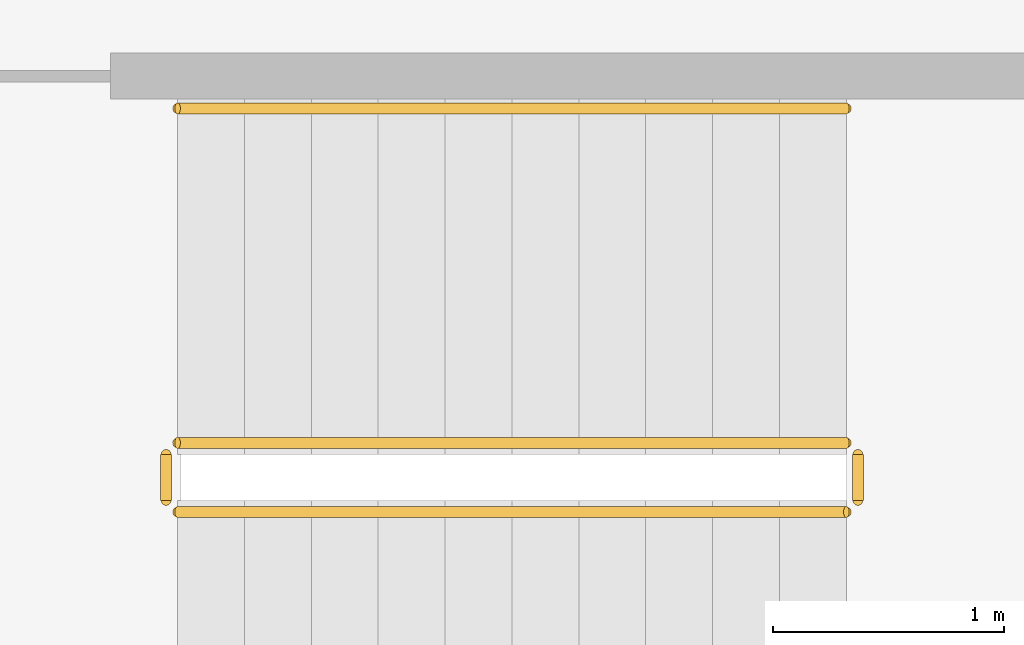
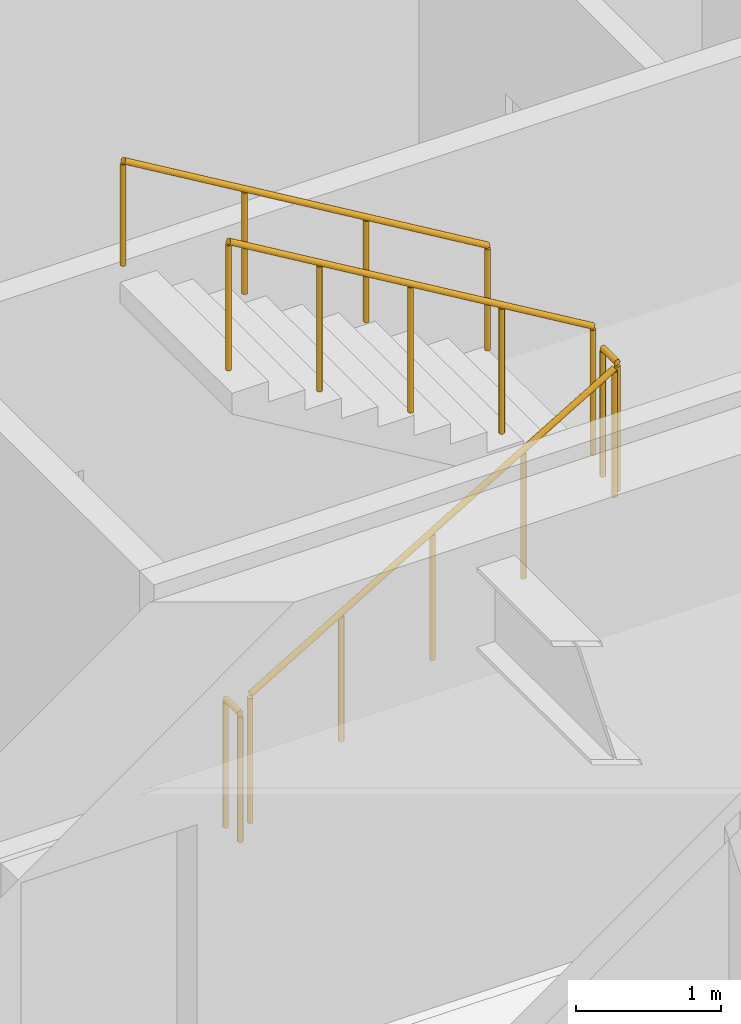
# One storey, part 22 of 23: 5 railings.
"""IFC4 building model written with IfcOpenShell, lengths in metres."""

import ifcopenshell
import ifcopenshell.guid

model = None  # the IFC model being written
_history = None  # IfcOwnerHistory: only IFC2X3 demands one
_inside = {}  # id of a spatial element -> (the spatial element, [elements in it])
_under = {}  # id of a project, library or spatial element -> (it, [spatial elements below it])
_declared = {}  # id of a project -> (the project, [libraries it declares])
_typed = {}  # id of a type object -> (the type object, [elements of that type])
_made_of = {}  # id of a material, layer set ... -> (it, [elements and type objects made of it])


def new_model(schema):
    """Start an empty IFC model of exactly this schema.

    Asked for "IFC4X3", IfcOpenShell would pick the latest addendum, in which some entities
    have other attributes; the version numbers below select the first issue.
    IFC2X3 requires an IfcOwnerHistory on every rooted entity: one is made here for all.
    """
    global model, _history
    if schema == "IFC4X3":
        model = ifcopenshell.file(schema_version=(4, 3, 0, 0))
    else:
        model = ifcopenshell.file(schema=schema)
    _inside.clear()
    _under.clear()
    _declared.clear()
    _typed.clear()
    _made_of.clear()
    _history = None
    if model.schema == "IFC2X3":
        org = make("IfcOrganization", Name="unknown")
        user = make(
            "IfcPersonAndOrganization",
            ThePerson=make("IfcPerson", FamilyName="unknown"),
            TheOrganization=org,
        )
        app = make(
            "IfcApplication",
            ApplicationDeveloper=org,
            Version="unknown",
            ApplicationFullName="unknown",
            ApplicationIdentifier="unknown",
        )
        _history = make(
            "IfcOwnerHistory",
            OwningUser=user,
            OwningApplication=app,
            ChangeAction="ADDED",
            CreationDate=0,
        )
    return model


def make(cls, **values):
    """One entity of the class cls with the attributes given. An attribute that is None is left unset."""
    return model.create_entity(
        cls, **{name: value for name, value in values.items() if value is not None}
    )


def rooted(cls, **values):
    """An entity with a GlobalId (a new one), such as an element, a storey or a relation."""
    return make(cls, GlobalId=ifcopenshell.guid.new(), OwnerHistory=_history, **values)


def si_unit(unit_type, name, prefix=None):
    """IfcSIUnit, for example si_unit("LENGTHUNIT", "METRE", prefix="MILLI")."""
    return make("IfcSIUnit", UnitType=unit_type, Prefix=prefix, Name=name)


def assignment(units):
    """IfcUnitAssignment: the units of a project."""
    return None if units is None else make("IfcUnitAssignment", Units=units)


def point(xyz):
    """IfcCartesianPoint."""
    return None if xyz is None else make("IfcCartesianPoint", Coordinates=xyz)


def direction(xyz):
    """IfcDirection."""
    return None if xyz is None else make("IfcDirection", DirectionRatios=xyz)


def frame(location, z_axis=None, x_axis=None):
    """IfcAxis2Placement3D, a coordinate frame: its origin and axes. An axis left out is left unset."""
    return make(
        "IfcAxis2Placement3D",
        Location=point(location),
        Axis=direction(z_axis),
        RefDirection=direction(x_axis),
    )


def frame_2d(location, x_axis=None):
    """IfcAxis2Placement2D, a coordinate frame in the plane: its origin and x axis."""
    return make(
        "IfcAxis2Placement2D", Location=point(location), RefDirection=direction(x_axis)
    )


def origin():
    """The frame at (0, 0, 0) with its axes left unset."""
    return frame((0.0, 0.0, 0.0))


def origin_2d():
    """The frame at (0, 0) in the plane with its x axis left unset."""
    return frame_2d((0.0, 0.0))


def place(relative_to, where):
    """IfcLocalPlacement: puts the frame where relative to a parent placement (None: the world)."""
    return make(
        "IfcLocalPlacement", PlacementRelTo=relative_to, RelativePlacement=where
    )


def context(
    kind, dimensions, precision=None, world=None, true_north=None, identifier=None
):
    """IfcGeometricRepresentationContext, for example the 3D "Model" context."""
    return make(
        "IfcGeometricRepresentationContext",
        ContextIdentifier=identifier,
        ContextType=kind,
        CoordinateSpaceDimension=dimensions,
        Precision=precision,
        WorldCoordinateSystem=world,
        TrueNorth=true_north,
    )


def subcontext(parent, identifier, kind, view, scale=None):
    """IfcGeometricRepresentationSubContext, for example "Body" below "Model"."""
    return make(
        "IfcGeometricRepresentationSubContext",
        ContextIdentifier=identifier,
        ContextType=kind,
        ParentContext=parent,
        TargetScale=scale,
        TargetView=view,
    )


def project(units=None, contexts=None):
    """IfcProject with its units and contexts."""
    return rooted(
        "IfcProject",
        Name="project",
        RepresentationContexts=contexts,
        UnitsInContext=assignment(units),
    )


def spatial(cls, under=None, at=None, **own):
    """A site, building, storey or space (cls), placed at a placement, below another one or the project."""
    s = rooted(cls, ObjectPlacement=at, **own)
    if under is not None:
        _under.setdefault(under.id(), (under, []))[1].append(s)
    return s


def profile(cls, at=None, kind="AREA", **sizes):
    """A parametric profile (cls). Its sizes go by their IFC names, for example OverallWidth=200.0."""
    return make(cls, ProfileType=kind, Position=at, **sizes)


def circle(**sizes):
    """IfcCircleProfileDef."""
    return profile("IfcCircleProfileDef", **sizes)


def extrude(swept, where, along, depth):
    """IfcExtrudedAreaSolid: the profile swept, set in the frame where, extruded along a direction by depth."""
    return make(
        "IfcExtrudedAreaSolid",
        SweptArea=swept,
        Position=where,
        ExtrudedDirection=direction(along),
        Depth=depth,
    )


def shape(context_of_items, identifier, shape_type, items):
    """IfcShapeRepresentation: the items that make up one representation, for example the "Body"."""
    return make(
        "IfcShapeRepresentation",
        ContextOfItems=context_of_items,
        RepresentationIdentifier=identifier,
        RepresentationType=shape_type,
        Items=items,
    )


def material(Name=None, Category=None):
    """IfcMaterial."""
    return make("IfcMaterial", Name=Name, Category=Category)


def made_of(thing, what):
    """Note that an element or type object is made of a material, layer set ...; save() writes the relation."""
    if what is not None:
        _made_of.setdefault(what.id(), (what, []))[1].append(thing)
    return thing


def type_object(cls, material=None, **own):
    """A type object (cls), such as IfcWallType, which elements share."""
    return made_of(rooted(cls, **own), material)


def element(
    cls,
    number,
    at=None,
    inside=None,
    cuts=None,
    type_object=None,
    material=None,
    context=None,
    identifier="Body",
    shape_type=None,
    held_by="IfcProductDefinitionShape",
    body=None,
    shapes=None,
    **own,
):
    """One element of the class cls, such as IfcWall. Its Tag is "e" and its number.

    at: its placement. inside: the storey or other place that contains it. cuts: it is an
    opening in that element (IfcRelVoidsElement). A single representation is given by context,
    identifier, shape_type and body (its items); several are given by shapes. held_by: the class
    of the entity that holds the representations. save() writes the other relations.
    """
    e = rooted(cls, Tag="e%d" % number, ObjectPlacement=at, **own)
    if body is not None:
        shapes = [shape(context, identifier, shape_type, body)]
    if shapes is not None:
        e.Representation = make(held_by, Representations=shapes)
    if inside is not None:
        _inside.setdefault(inside.id(), (inside, []))[1].append(e)
    if cuts is not None:
        rooted(
            "IfcRelVoidsElement", RelatingBuildingElement=cuts, RelatedOpeningElement=e
        )
    if type_object is not None:
        _typed.setdefault(type_object.id(), (type_object, []))[1].append(e)
    return made_of(e, material)


def aggregate(whole, parts):
    """IfcRelAggregates: a whole, such as a stair, and the parts it consists of."""
    return rooted("IfcRelAggregates", RelatingObject=whole, RelatedObjects=parts)


def save(model, path):
    """Write the relations noted so far, then the file.

    IfcRelAggregates (storeys below a building ...), IfcRelContainedInSpatialStructure (elements
    in a storey), IfcRelDefinesByType, IfcRelAssociatesMaterial and IfcRelDeclares: one each for
    every whole, place, type object, material and project.
    """
    for whole, parts in _under.values():
        aggregate(whole, parts)
    for where, things in _inside.values():
        rooted(
            "IfcRelContainedInSpatialStructure",
            RelatedElements=things,
            RelatingStructure=where,
        )
    for kind, things in _typed.values():
        rooted("IfcRelDefinesByType", RelatedObjects=things, RelatingType=kind)
    for what, things in _made_of.values():
        rooted("IfcRelAssociatesMaterial", RelatedObjects=things, RelatingMaterial=what)
    for by, libraries in _declared.values():
        rooted("IfcRelDeclares", RelatingContext=by, RelatedDefinitions=libraries)
    model.write(path)


model = new_model("IFC4")

# Units and contexts
model_context = context("Model", 3, precision=1e-05, world=origin(), true_north=direction((0.0, 1.0)))
body_context = subcontext(model_context, "Body", "Model", "MODEL_VIEW")
ifc_project = project(units=[si_unit("LENGTHUNIT", "METRE"), si_unit("AREAUNIT", "SQUARE_METRE"), si_unit("VOLUMEUNIT", "CUBIC_METRE"), si_unit("PLANEANGLEUNIT", "RADIAN"), si_unit("MASSUNIT", "GRAM", prefix="KILO")], contexts=[model_context])

# Site, building, storey
site_placement = place(None, origin())
site = spatial("IfcSite", under=ifc_project, at=site_placement, CompositionType="ELEMENT")
building_placement = place(site_placement, origin())
building = spatial("IfcBuilding", under=site, at=building_placement, Name="Putna Gate Headquarters", CompositionType="ELEMENT")
storey_placement = place(building_placement, frame((0.0, 0.0, 213.800048828125)))
storey = spatial("IfcBuildingStorey", under=building, at=storey_placement, Name="L53", CompositionType="ELEMENT", Elevation=213.800048828125)

# Railings
ifc_material_1 = material(Name="Powder-coated steel stair guardrail", Category="steel")
railing_type_1 = type_object("IfcRailingType", Name="RAIL-STAIR-GUARD-1100", PredefinedType="GUARDRAIL", material=ifc_material_1)
railing_1_placement = place(storey_placement, frame((57.89990234375, 21.10009765625, 0.172607421875)))
element("IfcRailing", 1, at=railing_1_placement, inside=storey, type_object=railing_type_1, Name="L53 ST2 stair guard 1", PredefinedType="GUARDRAIL", context=body_context, shape_type="SweptSolid", body=[
    extrude(circle(Radius=0.02392578125, at=origin_2d()), frame((0.0, 0.0, 1.076171875), z_axis=(0.859160404282, 0.0, 0.51170636083), x_axis=(0.0, 1.0, 0.0)), (0.0, 0.0, 1.0), 3.37548828125),
    extrude(circle(Radius=0.02099609375, at=origin_2d()), origin(), (0.0, 0.0, 1.0), 1.052001953125),
    extrude(circle(Radius=0.02099609375, at=origin_2d()), frame((0.72509765625, 0.0, 0.431884765625)), (0.0, 0.0, 1.0), 1.052001953125),
    extrude(circle(Radius=0.02099609375, at=origin_2d()), frame((1.4501953125, 0.0, 0.86376953125)), (0.0, 0.0, 1.0), 1.052001953125),
    extrude(circle(Radius=0.02099609375, at=origin_2d()), frame((2.175048828125, 0.0, 1.29541015625)), (0.0, 0.0, 1.0), 1.052001953125),
    extrude(circle(Radius=0.02099609375, at=origin_2d()), frame((2.900146484375, 0.0, 1.727294921875)), (0.0, 0.0, 1.0), 1.052001953125),
])
railing_2_placement = place(storey_placement, frame((60.85009765625, 21.14990234375, 1.89990234375)))
element("IfcRailing", 2, at=railing_2_placement, inside=storey, type_object=railing_type_1, Name="L53 ST2 stair guard 2", PredefinedType="GUARDRAIL", context=body_context, shape_type="SweptSolid", body=[
    extrude(circle(Radius=0.02392578125, at=origin_2d()), frame((0.0, 0.0, 1.076171875), z_axis=(0.0, 1.0, 0.0), x_axis=(-1.0, 0.0, 0.0)), (0.0, 0.0, 1.0), 0.2001953125),
    extrude(circle(Radius=0.02099609375, at=origin_2d()), origin(), (0.0, 0.0, 1.0), 1.052001953125),
    extrude(circle(Radius=0.02099609375, at=origin_2d()), frame((0.0, 0.2001953125, 0.0)), (0.0, 0.0, 1.0), 1.052001953125),
])
railing_3_placement = place(storey_placement, frame((60.800048828125, 21.39990234375, 2.07275390625)))
element("IfcRailing", 3, at=railing_3_placement, inside=storey, type_object=railing_type_1, Name="L53 ST2 stair guard 3", PredefinedType="GUARDRAIL", context=body_context, shape_type="SweptSolid", body=[
    extrude(circle(Radius=0.02392578125, at=origin_2d()), frame((0.0, 0.0, 1.076171875), z_axis=(-0.859160404282, 0.0, 0.51170636083), x_axis=(0.0, -1.0, 0.0)), (0.0, 0.0, 1.0), 3.37548828125),
    extrude(circle(Radius=0.02099609375, at=origin_2d()), origin(), (0.0, 0.0, 1.0), 1.052001953125),
    extrude(circle(Radius=0.02099609375, at=origin_2d()), frame((-0.72509765625, 0.0, 0.431884765625)), (0.0, 0.0, 1.0), 1.052001953125),
    extrude(circle(Radius=0.02099609375, at=origin_2d()), frame((-1.4501953125, 0.0, 0.86376953125)), (0.0, 0.0, 1.0), 1.052001953125),
    extrude(circle(Radius=0.02099609375, at=origin_2d()), frame((-2.175048828125, 0.0, 1.29541015625)), (0.0, 0.0, 1.0), 1.052001953125),
    extrude(circle(Radius=0.02099609375, at=origin_2d()), frame((-2.900146484375, 0.0, 1.727294921875)), (0.0, 0.0, 1.0), 1.052001953125),
])
railing_4_placement = place(storey_placement, frame((57.85009765625, 21.14990234375, 0.0)))
element("IfcRailing", 4, at=railing_4_placement, inside=storey, type_object=railing_type_1, Name="L53 ST2 stair guard 4", PredefinedType="GUARDRAIL", context=body_context, shape_type="SweptSolid", body=[
    extrude(circle(Radius=0.02392578125, at=origin_2d()), frame((0.0, 0.0, 1.076171875), z_axis=(0.0, 1.0, 0.0), x_axis=(-1.0, 0.0, 0.0)), (0.0, 0.0, 1.0), 0.2001953125),
    extrude(circle(Radius=0.02099609375, at=origin_2d()), origin(), (0.0, 0.0, 1.0), 1.052001953125),
    extrude(circle(Radius=0.02099609375, at=origin_2d()), frame((0.0, 0.2001953125, 0.0)), (0.0, 0.0, 1.0), 1.052001953125),
])
ifc_material_2 = material(Name="Brushed stainless steel handrail", Category="steel")
railing_type_2 = type_object("IfcRailingType", Name="RAIL-STAIR-HAND-900", PredefinedType="HANDRAIL", material=ifc_material_2)
railing_5_placement = place(storey_placement, frame((60.800048828125, 22.85009765625, 2.07275390625)))
element("IfcRailing", 5, at=railing_5_placement, inside=storey, type_object=railing_type_2, Name="L53 ST2 stair handrail 2", PredefinedType="HANDRAIL", context=body_context, shape_type="SweptSolid", body=[
    extrude(circle(Radius=0.02392578125, at=origin_2d()), frame((0.0, 0.0, 0.8759765625), z_axis=(-0.859160404282, 0.0, 0.51170636083), x_axis=(0.0, -1.0, 0.0)), (0.0, 0.0, 1.0), 3.37548828125),
    extrude(circle(Radius=0.02099609375, at=origin_2d()), origin(), (0.0, 0.0, 1.0), 0.851806640625),
    extrude(circle(Radius=0.02099609375, at=origin_2d()), frame((-0.966796875, 0.0, 0.57568359375)), (0.0, 0.0, 1.0), 0.851806640625),
    extrude(circle(Radius=0.02099609375, at=origin_2d()), frame((-1.933349609375, 0.0, 1.151611328125)), (0.0, 0.0, 1.0), 0.851806640625),
    extrude(circle(Radius=0.02099609375, at=origin_2d()), frame((-2.900146484375, 0.0, 1.727294921875)), (0.0, 0.0, 1.0), 0.851806640625),
])

save(model, "model.ifc")
